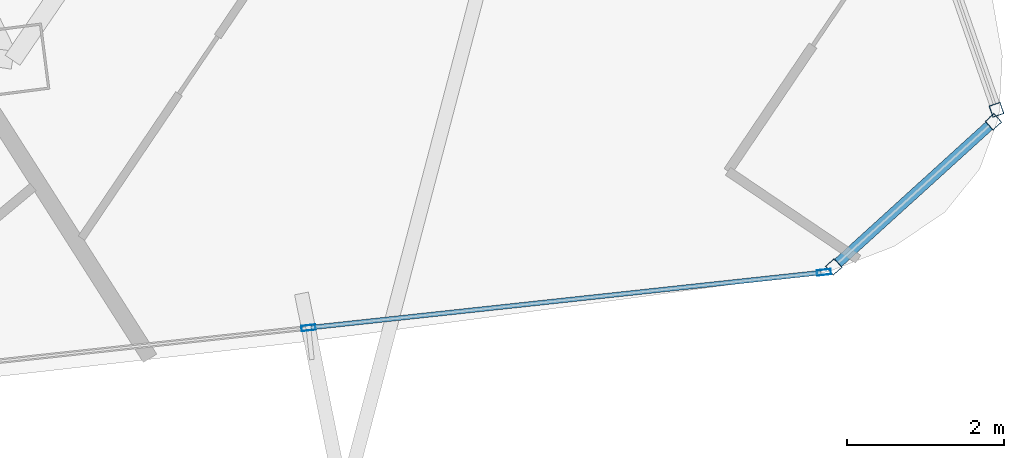
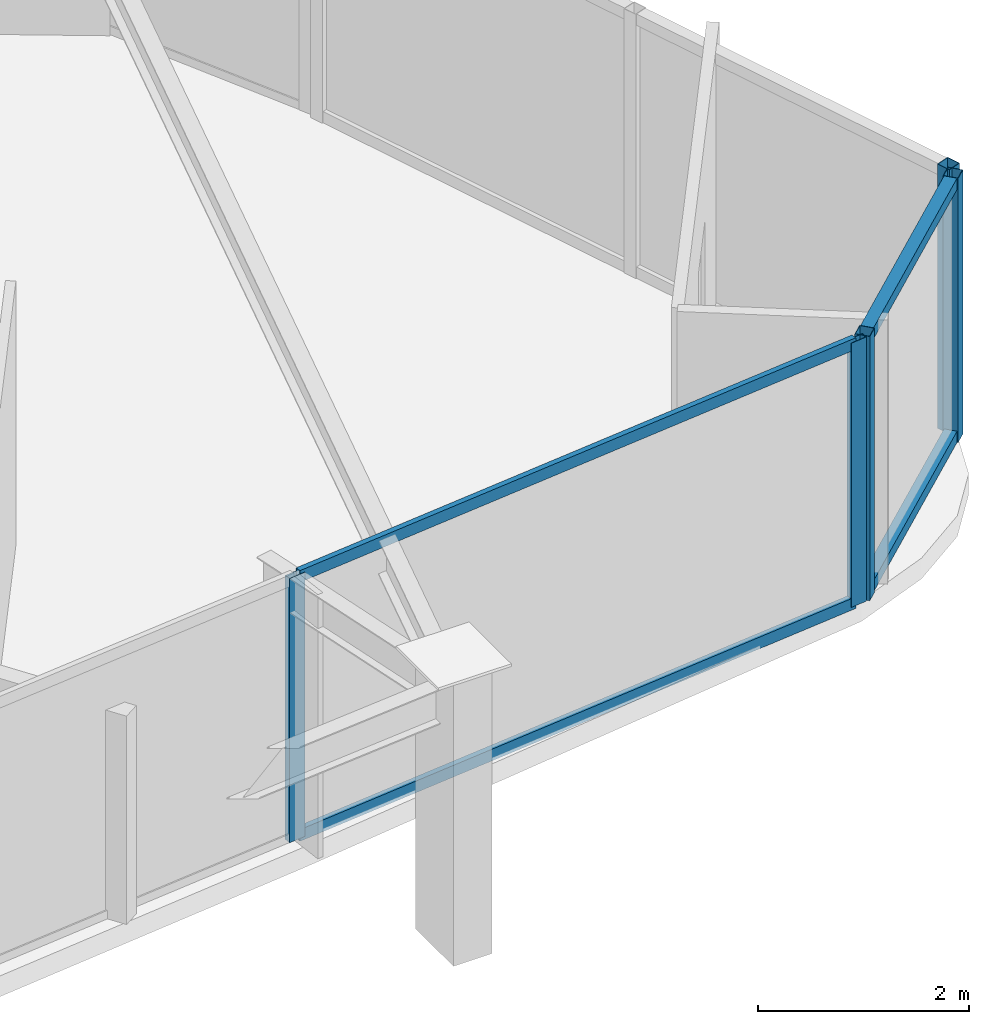
# One storey, part 16 of 38: 9 members, 3 elements without a shape of their own.
"""IFC4 building model written with IfcOpenShell, lengths in metres."""

from ifc_helpers import new_model, si_unit, direction, frame, origin, origin_2d, place, context, subcontext, project, spatial, hollow_rectangle, extrude, material, layer, layer_set, material_profile, profile_set, type_object, element, aggregate, save


model = new_model("IFC4")

# Units and contexts
model_context = context("Model", 3, precision=1e-05, world=origin(), true_north=direction((0.0, 1.0)))
body_context = subcontext(model_context, "Body", "Model", "MODEL_VIEW")
ifc_project = project(units=[si_unit("LENGTHUNIT", "METRE"), si_unit("AREAUNIT", "SQUARE_METRE"), si_unit("VOLUMEUNIT", "CUBIC_METRE"), si_unit("PLANEANGLEUNIT", "RADIAN"), si_unit("MASSUNIT", "GRAM", prefix="KILO")], contexts=[model_context])

# Site, building, storey
site_placement = place(None, origin())
site = spatial("IfcSite", under=ifc_project, at=site_placement, CompositionType="ELEMENT")
building_placement = place(site_placement, origin())
building = spatial("IfcBuilding", under=site, at=building_placement, Name="Orvanel Arch Residences", CompositionType="ELEMENT")
storey_placement = place(building_placement, frame((0.0, 0.0, 50.0)))
storey = spatial("IfcBuildingStorey", under=building, at=storey_placement, Name="L13", CompositionType="ELEMENT", Elevation=50.0)

# Curtain wall, members
ifc_material = material(Name="Bronze-anodised aluminium AA6063-T6", Category="aluminium")
ifc_layer_1 = layer(ifc_material, 0.18994140625)
ifc_layer_set_1 = layer_set([ifc_layer_1], Name="Bronze-anodised aluminium AA6063-T6")
curtain_wall_type_1 = type_object("IfcCurtainWallType", Name="CW5-CRN-SYS", PredefinedType="NOTDEFINED", material=ifc_layer_set_1)
curtain_wall_1_placement = place(storey_placement, origin())
curtain_wall_1 = element("IfcCurtainWall", 1, at=curtain_wall_1_placement, inside=storey, type_object=curtain_wall_type_1, Name="L13 CW5-CRN-SYS Unitised Curtain Wall", PredefinedType="NOTDEFINED")
ifc_material_profile_1 = material_profile(ifc_material, hollow_rectangle(XDim=0.14990234375, YDim=0.14990234375, WallThickness=0.0048828125, at=origin_2d()), Name="ALU150x150x5")
ifc_profile_set_1 = profile_set([ifc_material_profile_1], Name="Bronze-anodised aluminium AA6063-T6")
member_type_1 = type_object("IfcMemberType", Name="MUL-150x150", PredefinedType="MULLION", material=ifc_profile_set_1)
member_1_placement = place(storey_placement, frame((59.515625, 3.70849609375, 0.0), z_axis=(0.0, 0.0, 1.0), x_axis=(-0.672294791472, 0.740283535788, 0.0)))
member_1 = element("IfcMember", 2, at=member_1_placement, type_object=member_type_1, Name="CW-S5 mullion 1", PredefinedType="MULLION", context=body_context, shape_type="SweptSolid", body=[
    extrude(hollow_rectangle(XDim=0.14990234375, YDim=0.14990234375, WallThickness=0.0048828125, at=origin_2d()), origin(), (0.0, 0.0, 1.0), 3.06005859375),
])
member_2_placement = place(storey_placement, frame((61.549560546875, 5.5556640625, 0.0), z_axis=(0.0, 0.0, 1.0), x_axis=(-0.672294791472, 0.740283535788, 0.0)))
member_2 = element("IfcMember", 3, at=member_2_placement, type_object=member_type_1, Name="CW-S5 mullion 2", PredefinedType="MULLION", context=body_context, shape_type="SweptSolid", body=[
    extrude(hollow_rectangle(XDim=0.14990234375, YDim=0.14990234375, WallThickness=0.0048828125, at=origin_2d()), origin(), (0.0, 0.0, 1.0), 3.06005859375),
])

# Curtain wall, member
curtain_wall_2_placement = place(storey_placement, origin())
curtain_wall_2 = element("IfcCurtainWall", 4, at=curtain_wall_2_placement, inside=storey, type_object=curtain_wall_type_1, Name="L13 CW5-CRN-SYS Unitised Curtain Wall", PredefinedType="NOTDEFINED")
member_3_placement = place(storey_placement, frame((61.58837890625, 5.708740234375, 0.0), z_axis=(0.0, 0.0, 1.0), x_axis=(-0.944601133748, -0.328220502288, 0.0)))
member_3 = element("IfcMember", 5, at=member_3_placement, type_object=member_type_1, Name="CW-S5 mullion 1", PredefinedType="MULLION", context=body_context, shape_type="SweptSolid", body=[
    extrude(hollow_rectangle(XDim=0.14990234375, YDim=0.14990234375, WallThickness=0.0048828125, at=origin_2d()), origin(), (0.0, 0.0, 1.0), 3.06005859375),
])
aggregate(curtain_wall_2, [member_3])

# Curtain wall, members
ifc_layer_2 = layer(ifc_material, 0.179931640625)
ifc_layer_set_2 = layer_set([ifc_layer_2], Name="Bronze-anodised aluminium AA6063-T6")
curtain_wall_type_2 = type_object("IfcCurtainWallType", Name="CW2-LOW-SYS", PredefinedType="NOTDEFINED", material=ifc_layer_set_2)
curtain_wall_3_placement = place(storey_placement, origin())
curtain_wall_3 = element("IfcCurtainWall", 6, at=curtain_wall_3_placement, inside=storey, type_object=curtain_wall_type_2, Name="L13 CW2-LOW-SYS Unitised Curtain Wall", PredefinedType="NOTDEFINED")
ifc_material_profile_2 = material_profile(ifc_material, hollow_rectangle(XDim=0.070068359375, YDim=0.179931640625, WallThickness=0.00439453125, at=origin_2d()), Name="ALU180x70x4.5")
ifc_profile_set_2 = profile_set([ifc_material_profile_2], Name="Bronze-anodised aluminium AA6063-T6")
member_type_2 = type_object("IfcMemberType", Name="MUL-180x70", PredefinedType="MULLION", material=ifc_profile_set_2)
member_4_placement = place(storey_placement, frame((52.826904296875, 2.931884765625, 0.0), z_axis=(0.0, 0.0, 1.0), x_axis=(-0.107139659052, 0.994243980851, 0.0)))
member_4 = element("IfcMember", 7, at=member_4_placement, type_object=member_type_2, Name="CW-S2 mullion 3", PredefinedType="MULLION", context=body_context, shape_type="SweptSolid", body=[
    extrude(hollow_rectangle(XDim=0.070068359375, YDim=0.179931640625, WallThickness=0.00439453125, at=origin_2d()), origin(), (0.0, 0.0, 1.0), 3.06005859375),
])
member_5_placement = place(storey_placement, frame((59.39013671875, 3.63916015625, 0.0), z_axis=(0.0, 0.0, 1.0), x_axis=(-0.107139659052, 0.994243980851, 0.0)))
member_5 = element("IfcMember", 8, at=member_5_placement, type_object=member_type_2, Name="CW-S2 mullion 4", PredefinedType="MULLION", context=body_context, shape_type="SweptSolid", body=[
    extrude(hollow_rectangle(XDim=0.070068359375, YDim=0.179931640625, WallThickness=0.00439453125, at=origin_2d()), origin(), (0.0, 0.0, 1.0), 3.06005859375),
])

# Member
ifc_material_profile_3 = material_profile(ifc_material, hollow_rectangle(XDim=0.1298828125, YDim=0.1298828125, WallThickness=0.00439453125, at=origin_2d()), Name="ALU130x130x4.5")
ifc_profile_set_3 = profile_set([ifc_material_profile_3], Name="Bronze-anodised aluminium AA6063-T6")
member_type_3 = type_object("IfcMemberType", Name="TRN-130x130", PredefinedType="USERDEFINED", material=ifc_profile_set_3)
member_6_placement = place(storey_placement, frame((59.571044921875, 3.7587890625, 0.06494140625), z_axis=(0.740267463166, 0.672312489084, 0.0), x_axis=(-0.672312489084, 0.740267463166, 0.0)))
member_6 = element("IfcMember", 9, at=member_6_placement, type_object=member_type_3, Name="CW-S5 transom 1.1", ObjectType="TRANSOM", PredefinedType="USERDEFINED", context=body_context, shape_type="SweptSolid", body=[
    extrude(hollow_rectangle(XDim=0.1298828125, YDim=0.1298828125, WallThickness=0.00439453125, at=origin_2d()), origin(), (0.0, 0.0, 1.0), 2.597412109375),
])

member_7_placement = place(storey_placement, frame((59.571044921875, 3.7587890625, 2.9951171875), z_axis=(0.740267463166, 0.672312489084, 0.0), x_axis=(-0.672312489084, 0.740267463166, 0.0)))
member_7 = element("IfcMember", 10, at=member_7_placement, type_object=member_type_3, Name="CW-S5 transom 1.2", ObjectType="TRANSOM", PredefinedType="USERDEFINED", context=body_context, shape_type="SweptSolid", body=[
    extrude(hollow_rectangle(XDim=0.1298828125, YDim=0.1298828125, WallThickness=0.00439453125, at=origin_2d()), origin(), (0.0, 0.0, 1.0), 2.597412109375),
])

aggregate(curtain_wall_1, [member_1, member_2, member_6, member_7])

ifc_material_profile_4 = material_profile(ifc_material, hollow_rectangle(XDim=0.06005859375, YDim=0.135009765625, WallThickness=0.00390625, at=origin_2d()), Name="ALU135x60x4")
ifc_profile_set_4 = profile_set([ifc_material_profile_4], Name="Bronze-anodised aluminium AA6063-T6")
member_type_4 = type_object("IfcMemberType", Name="TRN-135x60", PredefinedType="USERDEFINED", material=ifc_profile_set_4)
member_8_placement = place(storey_placement, frame((52.86181640625, 2.935791015625, 0.030029296875), z_axis=(0.994244771406, 0.107132322537, 0.0), x_axis=(-0.107132322537, 0.994244771406, 0.0)))
member_8 = element("IfcMember", 11, at=member_8_placement, type_object=member_type_4, Name="CW-S2 transom 3.1", ObjectType="TRANSOM", PredefinedType="USERDEFINED", context=body_context, shape_type="SweptSolid", body=[
    extrude(hollow_rectangle(XDim=0.06005859375, YDim=0.135009765625, WallThickness=0.00390625, at=origin_2d()), origin(), (0.0, 0.0, 1.0), 6.53125),
])

member_9_placement = place(storey_placement, frame((52.86181640625, 2.935791015625, 3.030029296875), z_axis=(0.994244771406, 0.107132322537, 0.0), x_axis=(-0.107132322537, 0.994244771406, 0.0)))
member_9 = element("IfcMember", 12, at=member_9_placement, type_object=member_type_4, Name="CW-S2 transom 3.2", ObjectType="TRANSOM", PredefinedType="USERDEFINED", context=body_context, shape_type="SweptSolid", body=[
    extrude(hollow_rectangle(XDim=0.06005859375, YDim=0.135009765625, WallThickness=0.00390625, at=origin_2d()), origin(), (0.0, 0.0, 1.0), 6.53125),
])

aggregate(curtain_wall_3, [member_4, member_5, member_8, member_9])

save(model, "model.ifc")
